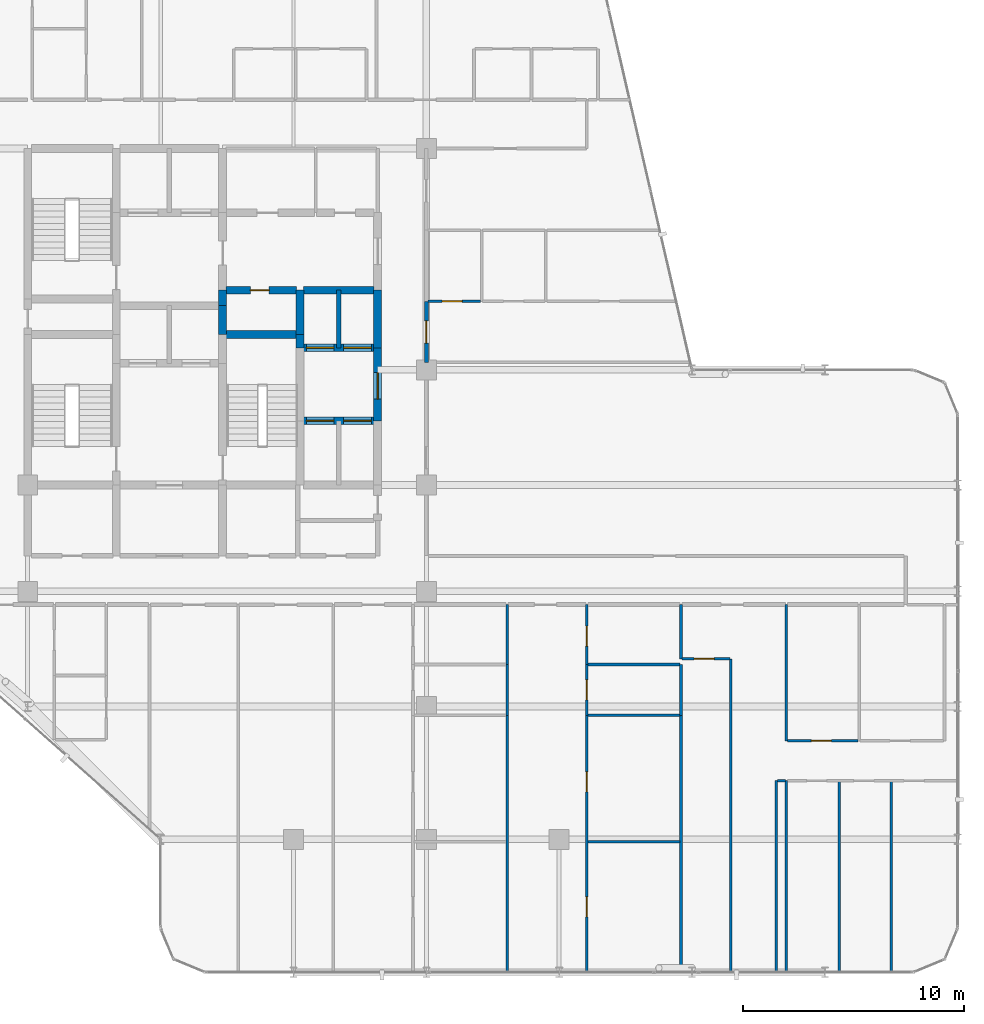
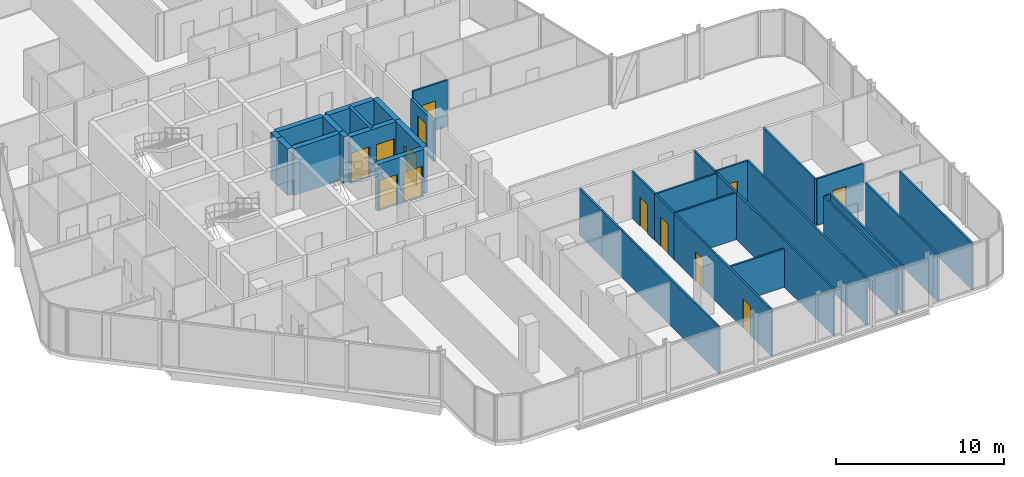
# One storey, part 25 of 29: 35 walls, 14 doors, 14 openings.
"""IFC4 building model written with IfcOpenShell, lengths in metres."""

import ifcopenshell
import ifcopenshell.guid

model = None  # the IFC model being written
_history = None  # IfcOwnerHistory: only IFC2X3 demands one
_inside = {}  # id of a spatial element -> (the spatial element, [elements in it])
_under = {}  # id of a project, library or spatial element -> (it, [spatial elements below it])
_declared = {}  # id of a project -> (the project, [libraries it declares])
_typed = {}  # id of a type object -> (the type object, [elements of that type])
_made_of = {}  # id of a material, layer set ... -> (it, [elements and type objects made of it])


def new_model(schema):
    """Start an empty IFC model of exactly this schema.

    Asked for "IFC4X3", IfcOpenShell would pick the latest addendum, in which some entities
    have other attributes; the version numbers below select the first issue.
    IFC2X3 requires an IfcOwnerHistory on every rooted entity: one is made here for all.
    """
    global model, _history
    if schema == "IFC4X3":
        model = ifcopenshell.file(schema_version=(4, 3, 0, 0))
    else:
        model = ifcopenshell.file(schema=schema)
    _inside.clear()
    _under.clear()
    _declared.clear()
    _typed.clear()
    _made_of.clear()
    _history = None
    if model.schema == "IFC2X3":
        org = make("IfcOrganization", Name="unknown")
        user = make(
            "IfcPersonAndOrganization",
            ThePerson=make("IfcPerson", FamilyName="unknown"),
            TheOrganization=org,
        )
        app = make(
            "IfcApplication",
            ApplicationDeveloper=org,
            Version="unknown",
            ApplicationFullName="unknown",
            ApplicationIdentifier="unknown",
        )
        _history = make(
            "IfcOwnerHistory",
            OwningUser=user,
            OwningApplication=app,
            ChangeAction="ADDED",
            CreationDate=0,
        )
    return model


def make(cls, **values):
    """One entity of the class cls with the attributes given. An attribute that is None is left unset."""
    return model.create_entity(
        cls, **{name: value for name, value in values.items() if value is not None}
    )


def rooted(cls, **values):
    """An entity with a GlobalId (a new one), such as an element, a storey or a relation."""
    return make(cls, GlobalId=ifcopenshell.guid.new(), OwnerHistory=_history, **values)


def si_unit(unit_type, name, prefix=None):
    """IfcSIUnit, for example si_unit("LENGTHUNIT", "METRE", prefix="MILLI")."""
    return make("IfcSIUnit", UnitType=unit_type, Prefix=prefix, Name=name)


def assignment(units):
    """IfcUnitAssignment: the units of a project."""
    return None if units is None else make("IfcUnitAssignment", Units=units)


def point(xyz):
    """IfcCartesianPoint."""
    return None if xyz is None else make("IfcCartesianPoint", Coordinates=xyz)


def direction(xyz):
    """IfcDirection."""
    return None if xyz is None else make("IfcDirection", DirectionRatios=xyz)


def frame(location, z_axis=None, x_axis=None):
    """IfcAxis2Placement3D, a coordinate frame: its origin and axes. An axis left out is left unset."""
    return make(
        "IfcAxis2Placement3D",
        Location=point(location),
        Axis=direction(z_axis),
        RefDirection=direction(x_axis),
    )


def frame_2d(location, x_axis=None):
    """IfcAxis2Placement2D, a coordinate frame in the plane: its origin and x axis."""
    return make(
        "IfcAxis2Placement2D", Location=point(location), RefDirection=direction(x_axis)
    )


def origin():
    """The frame at (0, 0, 0) with its axes left unset."""
    return frame((0.0, 0.0, 0.0))


def place(relative_to, where):
    """IfcLocalPlacement: puts the frame where relative to a parent placement (None: the world)."""
    return make(
        "IfcLocalPlacement", PlacementRelTo=relative_to, RelativePlacement=where
    )


def context(
    kind, dimensions, precision=None, world=None, true_north=None, identifier=None
):
    """IfcGeometricRepresentationContext, for example the 3D "Model" context."""
    return make(
        "IfcGeometricRepresentationContext",
        ContextIdentifier=identifier,
        ContextType=kind,
        CoordinateSpaceDimension=dimensions,
        Precision=precision,
        WorldCoordinateSystem=world,
        TrueNorth=true_north,
    )


def subcontext(parent, identifier, kind, view, scale=None):
    """IfcGeometricRepresentationSubContext, for example "Body" below "Model"."""
    return make(
        "IfcGeometricRepresentationSubContext",
        ContextIdentifier=identifier,
        ContextType=kind,
        ParentContext=parent,
        TargetScale=scale,
        TargetView=view,
    )


def project(units=None, contexts=None):
    """IfcProject with its units and contexts."""
    return rooted(
        "IfcProject",
        Name="project",
        RepresentationContexts=contexts,
        UnitsInContext=assignment(units),
    )


def spatial(cls, under=None, at=None, **own):
    """A site, building, storey or space (cls), placed at a placement, below another one or the project."""
    s = rooted(cls, ObjectPlacement=at, **own)
    if under is not None:
        _under.setdefault(under.id(), (under, []))[1].append(s)
    return s


def profile(cls, at=None, kind="AREA", **sizes):
    """A parametric profile (cls). Its sizes go by their IFC names, for example OverallWidth=200.0."""
    return make(cls, ProfileType=kind, Position=at, **sizes)


def rectangle(**sizes):
    """IfcRectangleProfileDef."""
    return profile("IfcRectangleProfileDef", **sizes)


def extrude(swept, where, along, depth):
    """IfcExtrudedAreaSolid: the profile swept, set in the frame where, extruded along a direction by depth."""
    return make(
        "IfcExtrudedAreaSolid",
        SweptArea=swept,
        Position=where,
        ExtrudedDirection=direction(along),
        Depth=depth,
    )


def shape(context_of_items, identifier, shape_type, items):
    """IfcShapeRepresentation: the items that make up one representation, for example the "Body"."""
    return make(
        "IfcShapeRepresentation",
        ContextOfItems=context_of_items,
        RepresentationIdentifier=identifier,
        RepresentationType=shape_type,
        Items=items,
    )


def material(Name=None, Category=None):
    """IfcMaterial."""
    return make("IfcMaterial", Name=Name, Category=Category)


def layer(
    of_material, thickness, ventilated=None, Name=None, Category=None, Priority=None
):
    """IfcMaterialLayer: one layer of a wall or slab, of a material (None: an air gap)."""
    return make(
        "IfcMaterialLayer",
        Material=of_material,
        LayerThickness=thickness,
        IsVentilated=ventilated,
        Name=Name,
        Category=Category,
        Priority=Priority,
    )


def layer_set(layers, Name=None):
    """IfcMaterialLayerSet."""
    return make("IfcMaterialLayerSet", MaterialLayers=layers, LayerSetName=Name)


def made_of(thing, what):
    """Note that an element or type object is made of a material, layer set ...; save() writes the relation."""
    if what is not None:
        _made_of.setdefault(what.id(), (what, []))[1].append(thing)
    return thing


def type_object(cls, material=None, **own):
    """A type object (cls), such as IfcWallType, which elements share."""
    return made_of(rooted(cls, **own), material)


def element(
    cls,
    number,
    at=None,
    inside=None,
    cuts=None,
    type_object=None,
    material=None,
    context=None,
    identifier="Body",
    shape_type=None,
    held_by="IfcProductDefinitionShape",
    body=None,
    shapes=None,
    **own,
):
    """One element of the class cls, such as IfcWall. Its Tag is "e" and its number.

    at: its placement. inside: the storey or other place that contains it. cuts: it is an
    opening in that element (IfcRelVoidsElement). A single representation is given by context,
    identifier, shape_type and body (its items); several are given by shapes. held_by: the class
    of the entity that holds the representations. save() writes the other relations.
    """
    e = rooted(cls, Tag="e%d" % number, ObjectPlacement=at, **own)
    if body is not None:
        shapes = [shape(context, identifier, shape_type, body)]
    if shapes is not None:
        e.Representation = make(held_by, Representations=shapes)
    if inside is not None:
        _inside.setdefault(inside.id(), (inside, []))[1].append(e)
    if cuts is not None:
        rooted(
            "IfcRelVoidsElement", RelatingBuildingElement=cuts, RelatedOpeningElement=e
        )
    if type_object is not None:
        _typed.setdefault(type_object.id(), (type_object, []))[1].append(e)
    return made_of(e, material)


def fill(opening, filler):
    """IfcRelFillsElement: the door or window that sits in an opening."""
    return rooted(
        "IfcRelFillsElement",
        RelatingOpeningElement=opening,
        RelatedBuildingElement=filler,
    )


def aggregate(whole, parts):
    """IfcRelAggregates: a whole, such as a stair, and the parts it consists of."""
    return rooted("IfcRelAggregates", RelatingObject=whole, RelatedObjects=parts)


def save(model, path):
    """Write the relations noted so far, then the file.

    IfcRelAggregates (storeys below a building ...), IfcRelContainedInSpatialStructure (elements
    in a storey), IfcRelDefinesByType, IfcRelAssociatesMaterial and IfcRelDeclares: one each for
    every whole, place, type object, material and project.
    """
    for whole, parts in _under.values():
        aggregate(whole, parts)
    for where, things in _inside.values():
        rooted(
            "IfcRelContainedInSpatialStructure",
            RelatedElements=things,
            RelatingStructure=where,
        )
    for kind, things in _typed.values():
        rooted("IfcRelDefinesByType", RelatedObjects=things, RelatingType=kind)
    for what, things in _made_of.values():
        rooted("IfcRelAssociatesMaterial", RelatedObjects=things, RelatingMaterial=what)
    for by, libraries in _declared.values():
        rooted("IfcRelDeclares", RelatingContext=by, RelatedDefinitions=libraries)
    model.write(path)


model = new_model("IFC4")

# Units and contexts
model_context = context("Model", 3, precision=1e-05, world=origin(), true_north=direction((0.0, 1.0)))
body_context = subcontext(model_context, "Body", "Model", "MODEL_VIEW")
ifc_project = project(units=[si_unit("LENGTHUNIT", "METRE"), si_unit("AREAUNIT", "SQUARE_METRE"), si_unit("VOLUMEUNIT", "CUBIC_METRE"), si_unit("PLANEANGLEUNIT", "RADIAN"), si_unit("MASSUNIT", "GRAM", prefix="KILO")], contexts=[model_context])

# Site, building, storey
site_placement = place(None, origin())
site = spatial("IfcSite", under=ifc_project, at=site_placement, CompositionType="ELEMENT")
building_placement = place(site_placement, origin())
building = spatial("IfcBuilding", under=site, at=building_placement, Name="Keshet Zoharim Tower", CompositionType="ELEMENT")
storey_placement = place(building_placement, frame((0.0, 0.0, 195.800048828125)))
storey = spatial("IfcBuildingStorey", under=building, at=storey_placement, Name="L48", CompositionType="ELEMENT", Elevation=195.800048828125)

# Walls
ifc_material_1 = material(Name="Concrete C60/75", Category="concrete")
ifc_layer_1 = layer(ifc_material_1, 0.35009765625)
ifc_layer_set_1 = layer_set([ifc_layer_1], Name="Concrete C60/75")
wall_type_1 = type_object("IfcWallType", Name="WL-CORE-350", PredefinedType="SHEAR", material=ifc_layer_set_1)
wall_1_placement = place(storey_placement, frame((23.800048828125, 29.5, 0.0), z_axis=(0.0, 0.0, 1.0), x_axis=(0.0, 1.0, 0.0)))
element("IfcWall", 1, at=wall_1_placement, inside=storey, type_object=wall_type_1, Name="L48 Core Shear Wall 040", PredefinedType="SHEAR", context=body_context, shape_type="SweptSolid", body=[
    extrude(rectangle(XDim=1.300048828125, YDim=0.35009765625, at=frame_2d((0.64990234375, 0.0))), origin(), (0.0, 0.0, 1.0), 3.389892578125),
])
wall_2_placement = place(storey_placement, frame((23.800048828125, 30.800048828125, 0.0), z_axis=(0.0, 0.0, 1.0), x_axis=(0.0, 1.0, 0.0)))
element("IfcWall", 2, at=wall_2_placement, inside=storey, type_object=wall_type_1, Name="L48 Core Shear Wall 041", PredefinedType="SHEAR", context=body_context, shape_type="SweptSolid", body=[
    extrude(rectangle(XDim=0.699951171875, YDim=0.35009765625, at=frame_2d((0.35009765625, 0.0))), origin(), (0.0, 0.0, 1.0), 3.389892578125),
])
wall_3_placement = place(storey_placement, frame((27.300048828125, 28.89990234375, 0.0), z_axis=(0.0, 0.0, 1.0), x_axis=(0.0, 1.0, 0.0)))
element("IfcWall", 3, at=wall_3_placement, inside=storey, type_object=wall_type_1, Name="L48 Core Shear Wall 053", PredefinedType="SHEAR", context=body_context, shape_type="SweptSolid", body=[
    extrude(rectangle(XDim=0.60009765625, YDim=0.35009765625, at=frame_2d((0.300048828125, 0.0))), origin(), (0.0, 0.0, 1.0), 3.389892578125),
])
wall_4_placement = place(storey_placement, frame((27.300048828125, 29.5, 0.0), z_axis=(0.0, 0.0, 1.0), x_axis=(0.0, 1.0, 0.0)))
element("IfcWall", 4, at=wall_4_placement, inside=storey, type_object=wall_type_1, Name="L48 Core Shear Wall 054", PredefinedType="SHEAR", context=body_context, shape_type="SweptSolid", body=[
    extrude(rectangle(XDim=2.0, YDim=0.35009765625, at=frame_2d((1.0, 0.0))), origin(), (0.0, 0.0, 1.0), 3.389892578125),
])

# Wall, opening, door
wall_5_placement = place(storey_placement, frame((30.800048828125, 25.60009765625, 0.0), z_axis=(0.0, 0.0, 1.0), x_axis=(0.0, 1.0, 0.0)))
wall_5 = element("IfcWall", 5, at=wall_5_placement, inside=storey, type_object=wall_type_1, Name="L48 Core Shear Wall 066", PredefinedType="SHEAR", context=body_context, shape_type="SweptSolid", body=[
    extrude(rectangle(XDim=3.2998046875, YDim=0.35009765625, at=frame_2d((1.64990234375, 0.0))), origin(), (0.0, 0.0, 1.0), 3.389892578125),
])
opening_1_placement = place(wall_5_placement, frame((0.97802734375, 0.0, 0.0)))
opening_1 = element("IfcOpeningElement", 6, at=opening_1_placement, cuts=wall_5, Name="Opening D-F612", PredefinedType="OPENING", context=body_context, shape_type="SweptSolid", body=[
    extrude(rectangle(XDim=1.199951171875, YDim=2.199951171875, at=frame_2d((0.60009765625, 1.10009765625))), frame((0.0, 0.18505859375, 0.0), z_axis=(0.0, -1.0, 0.0), x_axis=(1.0, 0.0, 0.0)), (0.0, 0.0, 1.0), 0.3701171875),
])
ifc_material_2 = material(Name="Hardwood Timber", Category="wood")
door_type_1 = type_object("IfcDoorType", Name="DR-FD60-120", OperationType="NOTDEFINED", PredefinedType="DOOR", material=ifc_material_2)
door_1_placement = place(opening_1_placement, origin())
door_1 = element("IfcDoor", 7, at=door_1_placement, inside=storey, type_object=door_type_1, Name="L48 East Lift Lobby Fire Door", OperationType="SINGLE_SWING_LEFT", OverallHeight=2.199951171875, OverallWidth=1.199951171875, PredefinedType="DOOR", context=body_context, shape_type="SweptSolid", body=[
    extrude(rectangle(XDim=1.199951171875, YDim=2.199951171875, at=frame_2d((0.60009765625, 1.10009765625))), frame((0.0, 0.02490234375, 0.0), z_axis=(0.0, -1.0, 0.0), x_axis=(1.0, 0.0, 0.0)), (0.0, 0.0, 1.0), 0.050048828125),
])
fill(opening_1, door_1)

# Wall
wall_6_placement = place(storey_placement, frame((30.800048828125, 28.89990234375, 0.0), z_axis=(0.0, 0.0, 1.0), x_axis=(0.0, 1.0, 0.0)))
element("IfcWall", 8, at=wall_6_placement, inside=storey, type_object=wall_type_1, Name="L48 Core Shear Wall 067", PredefinedType="SHEAR", context=body_context, shape_type="SweptSolid", body=[
    extrude(rectangle(XDim=2.60009765625, YDim=0.35009765625, at=frame_2d((1.300048828125, 0.0))), origin(), (0.0, 0.0, 1.0), 3.389892578125),
])

# Wall, openings, doors
wall_7_placement = place(storey_placement, frame((27.4599609375, 25.60009765625, 0.0), z_axis=(0.0, 0.0, 1.0), x_axis=(1.0, 0.0, 0.0)))
wall_7 = element("IfcWall", 9, at=wall_7_placement, inside=storey, type_object=wall_type_1, Name="L48 Core Shear Wall 147", PredefinedType="SHEAR", context=body_context, shape_type="SweptSolid", body=[
    extrude(rectangle(XDim=3.179931640625, YDim=0.35009765625, at=frame_2d((1.58984375, 0.0))), origin(), (0.0, 0.0, 1.0), 3.389892578125),
])
opening_2_placement = place(wall_7_placement, frame((0.1201171875, 0.0, 0.0)))
opening_2 = element("IfcOpeningElement", 10, at=opening_2_placement, cuts=wall_7, Name="Opening LD-01", PredefinedType="OPENING", context=body_context, shape_type="SweptSolid", body=[
    extrude(rectangle(XDim=1.25, YDim=2.199951171875, at=frame_2d((0.625, 1.10009765625))), frame((0.0, 0.18505859375, 0.0), z_axis=(0.0, -1.0, 0.0), x_axis=(1.0, 0.0, 0.0)), (0.0, 0.0, 1.0), 0.3701171875),
])
opening_3_placement = place(wall_7_placement, frame((1.81005859375, 0.0, 0.0)))
opening_3 = element("IfcOpeningElement", 11, at=opening_3_placement, cuts=wall_7, Name="Opening LD-01", PredefinedType="OPENING", context=body_context, shape_type="SweptSolid", body=[
    extrude(rectangle(XDim=1.25, YDim=2.199951171875, at=frame_2d((0.625, 1.10009765625))), frame((0.0, 0.18505859375, 0.0), z_axis=(0.0, -1.0, 0.0), x_axis=(1.0, 0.0, 0.0)), (0.0, 0.0, 1.0), 0.3701171875),
])
ifc_material_3 = material(Name="Steel S355", Category="steel")
door_type_2 = type_object("IfcDoorType", Name="DR-LD01-125", OperationType="DOUBLE_DOOR_SLIDING", PredefinedType="DOOR", material=ifc_material_3)
door_2_placement = place(opening_2_placement, origin())
door_2 = element("IfcDoor", 12, at=door_2_placement, inside=storey, type_object=door_type_2, Name="L48 Passenger Lift Landing Door LF-07", OperationType="DOUBLE_DOOR_SLIDING", OverallHeight=2.199951171875, OverallWidth=1.25, PredefinedType="DOOR", context=body_context, shape_type="SweptSolid", body=[
    extrude(rectangle(XDim=1.25, YDim=2.199951171875, at=frame_2d((0.625, 1.10009765625))), frame((0.0, 0.02490234375, 0.0), z_axis=(0.0, -1.0, 0.0), x_axis=(1.0, 0.0, 0.0)), (0.0, 0.0, 1.0), 0.050048828125),
])
fill(opening_2, door_2)
door_3_placement = place(opening_3_placement, origin())
door_3 = element("IfcDoor", 13, at=door_3_placement, inside=storey, type_object=door_type_2, Name="L48 Passenger Lift Landing Door LF-08", OperationType="DOUBLE_DOOR_SLIDING", OverallHeight=2.199951171875, OverallWidth=1.25, PredefinedType="DOOR", context=body_context, shape_type="SweptSolid", body=[
    extrude(rectangle(XDim=1.25, YDim=2.199951171875, at=frame_2d((0.625, 1.10009765625))), frame((0.0, 0.02490234375, 0.0), z_axis=(0.0, -1.0, 0.0), x_axis=(1.0, 0.0, 0.0)), (0.0, 0.0, 1.0), 0.050048828125),
])
fill(opening_3, door_3)

wall_8_placement = place(storey_placement, frame((27.4599609375, 28.89990234375, 0.0), z_axis=(0.0, 0.0, 1.0), x_axis=(1.0, 0.0, 0.0)))
wall_8 = element("IfcWall", 14, at=wall_8_placement, inside=storey, type_object=wall_type_1, Name="L48 Core Shear Wall 154", PredefinedType="SHEAR", context=body_context, shape_type="SweptSolid", body=[
    extrude(rectangle(XDim=3.179931640625, YDim=0.35009765625, at=frame_2d((1.58984375, 0.0))), origin(), (0.0, 0.0, 1.0), 3.389892578125),
])
opening_4_placement = place(wall_8_placement, frame((0.1201171875, 0.0, 0.0)))
opening_4 = element("IfcOpeningElement", 15, at=opening_4_placement, cuts=wall_8, Name="Opening LD-01", PredefinedType="OPENING", context=body_context, shape_type="SweptSolid", body=[
    extrude(rectangle(XDim=1.25, YDim=2.199951171875, at=frame_2d((0.625, 1.10009765625))), frame((0.0, 0.18505859375, 0.0), z_axis=(0.0, -1.0, 0.0), x_axis=(1.0, 0.0, 0.0)), (0.0, 0.0, 1.0), 0.3701171875),
])
opening_5_placement = place(wall_8_placement, frame((1.81005859375, 0.0, 0.0)))
opening_5 = element("IfcOpeningElement", 16, at=opening_5_placement, cuts=wall_8, Name="Opening LD-01", PredefinedType="OPENING", context=body_context, shape_type="SweptSolid", body=[
    extrude(rectangle(XDim=1.25, YDim=2.199951171875, at=frame_2d((0.625, 1.10009765625))), frame((0.0, 0.18505859375, 0.0), z_axis=(0.0, -1.0, 0.0), x_axis=(1.0, 0.0, 0.0)), (0.0, 0.0, 1.0), 0.3701171875),
])
door_4_placement = place(opening_4_placement, origin())
door_4 = element("IfcDoor", 17, at=door_4_placement, inside=storey, type_object=door_type_2, Name="L48 Passenger Lift Landing Door LF-05", OperationType="DOUBLE_DOOR_SLIDING", OverallHeight=2.199951171875, OverallWidth=1.25, PredefinedType="DOOR", context=body_context, shape_type="SweptSolid", body=[
    extrude(rectangle(XDim=1.25, YDim=2.199951171875, at=frame_2d((0.625, 1.10009765625))), frame((0.0, 0.02490234375, 0.0), z_axis=(0.0, -1.0, 0.0), x_axis=(1.0, 0.0, 0.0)), (0.0, 0.0, 1.0), 0.050048828125),
])
fill(opening_4, door_4)
door_5_placement = place(opening_5_placement, origin())
door_5 = element("IfcDoor", 18, at=door_5_placement, inside=storey, type_object=door_type_2, Name="L48 Passenger Lift Landing Door LF-06", OperationType="DOUBLE_DOOR_SLIDING", OverallHeight=2.199951171875, OverallWidth=1.25, PredefinedType="DOOR", context=body_context, shape_type="SweptSolid", body=[
    extrude(rectangle(XDim=1.25, YDim=2.199951171875, at=frame_2d((0.625, 1.10009765625))), frame((0.0, 0.02490234375, 0.0), z_axis=(0.0, -1.0, 0.0), x_axis=(1.0, 0.0, 0.0)), (0.0, 0.0, 1.0), 0.050048828125),
])
fill(opening_5, door_5)

# Wall
wall_9_placement = place(storey_placement, frame((23.9599609375, 29.5, 0.0), z_axis=(0.0, 0.0, 1.0), x_axis=(1.0, 0.0, 0.0)))
element("IfcWall", 19, at=wall_9_placement, inside=storey, type_object=wall_type_1, Name="L48 Core Shear Wall 156", PredefinedType="SHEAR", context=body_context, shape_type="SweptSolid", body=[
    extrude(rectangle(XDim=3.179931640625, YDim=0.35009765625, at=frame_2d((1.58984375, 0.0))), origin(), (0.0, 0.0, 1.0), 3.389892578125),
])

# Wall, opening, door
wall_10_placement = place(storey_placement, frame((23.9599609375, 31.5, 0.0), z_axis=(0.0, 0.0, 1.0), x_axis=(1.0, 0.0, 0.0)))
wall_10 = element("IfcWall", 20, at=wall_10_placement, inside=storey, type_object=wall_type_1, Name="L48 Core Shear Wall 164", PredefinedType="SHEAR", context=body_context, shape_type="SweptSolid", body=[
    extrude(rectangle(XDim=3.179931640625, YDim=0.35009765625, at=frame_2d((1.58984375, 0.0))), origin(), (0.0, 0.0, 1.0), 3.389892578125),
])
opening_6_placement = place(wall_10_placement, frame((1.093994140625, 0.0, 0.0)))
opening_6 = element("IfcOpeningElement", 21, at=opening_6_placement, cuts=wall_10, Name="Opening D-RS85", PredefinedType="OPENING", context=body_context, shape_type="SweptSolid", body=[
    extrude(rectangle(XDim=0.85009765625, YDim=2.10009765625, at=frame_2d((0.425048828125, 1.050048828125))), frame((0.0, 0.18505859375, 0.0), z_axis=(0.0, -1.0, 0.0), x_axis=(1.0, 0.0, 0.0)), (0.0, 0.0, 1.0), 0.3701171875),
])
door_type_3 = type_object("IfcDoorType", Name="DR-RIS-085", OperationType="NOTDEFINED", PredefinedType="DOOR", material=ifc_material_2)
door_6_placement = place(opening_6_placement, origin())
door_6 = element("IfcDoor", 22, at=door_6_placement, inside=storey, type_object=door_type_3, Name="L48 Telecom Riser Access Cupboard Door", OperationType="SINGLE_SWING_LEFT", OverallHeight=2.10009765625, OverallWidth=0.85009765625, PredefinedType="DOOR", context=body_context, shape_type="SweptSolid", body=[
    extrude(rectangle(XDim=0.85009765625, YDim=2.10009765625, at=frame_2d((0.425048828125, 1.050048828125))), frame((0.0, 0.02490234375, 0.0), z_axis=(0.0, -1.0, 0.0), x_axis=(1.0, 0.0, 0.0)), (0.0, 0.0, 1.0), 0.050048828125),
])
fill(opening_6, door_6)

# Wall
wall_11_placement = place(storey_placement, frame((27.4599609375, 31.5, 0.0), z_axis=(0.0, 0.0, 1.0), x_axis=(1.0, 0.0, 0.0)))
element("IfcWall", 23, at=wall_11_placement, inside=storey, type_object=wall_type_1, Name="L48 Core Shear Wall 165", PredefinedType="SHEAR", context=body_context, shape_type="SweptSolid", body=[
    extrude(rectangle(XDim=3.179931640625, YDim=0.35009765625, at=frame_2d((1.58984375, 0.0))), origin(), (0.0, 0.0, 1.0), 3.389892578125),
])

# Wall, opening, door
ifc_material_4 = material(Name="Gypsum Plasterboard", Category="gypsum")
ifc_layer_2 = layer(ifc_material_4, 0.179931640625)
ifc_layer_set_2 = layer_set([ifc_layer_2], Name="Gypsum Plasterboard")
wall_type_2 = type_object("IfcWallType", Name="WL-CORR-180", PredefinedType="STANDARD", material=ifc_layer_set_2)
wall_12_placement = place(storey_placement, frame((33.0, 28.239990234375, 0.0), z_axis=(0.0, 0.0, 1.0), x_axis=(0.0, 1.0, 0.0)))
wall_12 = element("IfcWall", 24, at=wall_12_placement, inside=storey, type_object=wall_type_2, Name="L48 Interior Wall 074", PredefinedType="STANDARD", context=body_context, shape_type="SweptSolid", body=[
    extrude(rectangle(XDim=2.75, YDim=0.179931640625, at=frame_2d((1.375, 0.0))), origin(), (0.0, 0.0, 1.0), 2.889892578125),
])
opening_7_placement = place(wall_12_placement, frame((0.875, 0.0, 0.0)))
opening_7 = element("IfcOpeningElement", 25, at=opening_7_placement, cuts=wall_12, Name="Opening D-F310", PredefinedType="OPENING", context=body_context, shape_type="SweptSolid", body=[
    extrude(rectangle(XDim=1.0, YDim=2.14990234375, at=frame_2d((0.5, 1.074951171875))), frame((0.0, 0.10009765625, 0.0), z_axis=(0.0, -1.0, 0.0), x_axis=(1.0, 0.0, 0.0)), (0.0, 0.0, 1.0), 0.199951171875),
])
door_type_4 = type_object("IfcDoorType", Name="DR-FD30-100", OperationType="NOTDEFINED", PredefinedType="DOOR", material=ifc_material_2)
door_7_placement = place(opening_7_placement, origin())
door_7 = element("IfcDoor", 26, at=door_7_placement, inside=storey, type_object=door_type_4, Name="Apartment 4811 Entrance Door", OperationType="SINGLE_SWING_RIGHT", OverallHeight=2.14990234375, OverallWidth=1.0, PredefinedType="DOOR", context=body_context, shape_type="SweptSolid", body=[
    extrude(rectangle(XDim=1.0, YDim=2.14990234375, at=frame_2d((0.5, 1.074951171875))), frame((0.0, 0.02490234375, 0.0), z_axis=(0.0, -1.0, 0.0), x_axis=(1.0, 0.0, 0.0)), (0.0, 0.0, 1.0), 0.050048828125),
])
fill(opening_7, door_7)

# Walls
ifc_material_5 = material(Name="Concrete C50/60", Category="concrete")
ifc_layer_3 = layer(ifc_material_5, 0.199951171875)
ifc_layer_set_3 = layer_set([ifc_layer_3], Name="Concrete C50/60")
wall_type_3 = type_object("IfcWallType", Name="WL-FIRE-200", PredefinedType="STANDARD", material=ifc_layer_set_3)
wall_13_placement = place(storey_placement, frame((29.050048828125, 28.89990234375, 0.0), z_axis=(0.0, 0.0, 1.0), x_axis=(0.0, 1.0, 0.0)))
element("IfcWall", 27, at=wall_13_placement, inside=storey, type_object=wall_type_3, Name="L48 Interior Wall 059", PredefinedType="STANDARD", context=body_context, shape_type="SweptSolid", body=[
    extrude(rectangle(XDim=2.60009765625, YDim=0.199951171875, at=frame_2d((1.300048828125, 0.0))), origin(), (0.0, 0.0, 1.0), 3.389892578125),
])
ifc_layer_4 = layer(ifc_material_4, 0.1201171875)
ifc_layer_set_4 = layer_set([ifc_layer_4], Name="Gypsum Plasterboard")
wall_type_4 = type_object("IfcWallType", Name="WL-PART-120", PredefinedType="PARTITIONING", material=ifc_layer_set_4)
wall_14_placement = place(storey_placement, frame((36.64990234375, 0.7099609375, 0.0), z_axis=(0.0, 0.0, 1.0), x_axis=(0.0, 1.0, 0.0)))
element("IfcWall", 28, at=wall_14_placement, inside=storey, type_object=wall_type_4, Name="L48 Interior Wall 081", PredefinedType="PARTITIONING", context=body_context, shape_type="SweptSolid", body=[
    extrude(rectangle(XDim=11.590087890625, YDim=0.1201171875, at=frame_2d((5.794921875, 0.0))), origin(), (0.0, 0.0, 1.0), 3.389892578125),
])
wall_15_placement = place(storey_placement, frame((36.64990234375, 12.300048828125, 0.0), z_axis=(0.0, 0.0, 1.0), x_axis=(0.0, 1.0, 0.0)))
element("IfcWall", 29, at=wall_15_placement, inside=storey, type_object=wall_type_4, Name="L48 Interior Wall 082", PredefinedType="PARTITIONING", context=body_context, shape_type="SweptSolid", body=[
    extrude(rectangle(XDim=2.300048828125, YDim=0.1201171875, at=frame_2d((1.14990234375, 0.0))), origin(), (0.0, 0.0, 1.0), 3.389892578125),
])

# Wall, openings, doors
wall_16_placement = place(storey_placement, frame((40.25, 0.7099609375, 0.0), z_axis=(0.0, 0.0, 1.0), x_axis=(0.0, 1.0, 0.0)))
wall_16 = element("IfcWall", 30, at=wall_16_placement, inside=storey, type_object=wall_type_4, Name="L48 Interior Wall 087", PredefinedType="PARTITIONING", context=body_context, shape_type="SweptSolid", body=[
    extrude(rectangle(XDim=11.590087890625, YDim=0.1201171875, at=frame_2d((5.794921875, 0.0))), origin(), (0.0, 0.0, 1.0), 3.389892578125),
])
opening_8_placement = place(wall_16_placement, frame((2.489990234375, 0.0, 0.0)))
opening_8 = element("IfcOpeningElement", 31, at=opening_8_placement, cuts=wall_16, Name="Opening D-IN90", PredefinedType="OPENING", context=body_context, shape_type="SweptSolid", body=[
    extrude(rectangle(XDim=0.89990234375, YDim=2.14990234375, at=frame_2d((0.449951171875, 1.074951171875))), frame((0.0, 0.070068359375, 0.0), z_axis=(0.0, -1.0, 0.0), x_axis=(1.0, 0.0, 0.0)), (0.0, 0.0, 1.0), 0.14013671875),
])
opening_9_placement = place(wall_16_placement, frame((8.133056640625, 0.0, 0.0)))
opening_9 = element("IfcOpeningElement", 32, at=opening_9_placement, cuts=wall_16, Name="Opening D-IN90", PredefinedType="OPENING", context=body_context, shape_type="SweptSolid", body=[
    extrude(rectangle(XDim=0.89990234375, YDim=2.14990234375, at=frame_2d((0.449951171875, 1.074951171875))), frame((0.0, 0.070068359375, 0.0), z_axis=(0.0, -1.0, 0.0), x_axis=(1.0, 0.0, 0.0)), (0.0, 0.0, 1.0), 0.14013671875),
])
door_type_5 = type_object("IfcDoorType", Name="DR-INT-090", OperationType="NOTDEFINED", PredefinedType="DOOR", material=ifc_material_2)
door_8_placement = place(opening_8_placement, origin())
door_8 = element("IfcDoor", 33, at=door_8_placement, inside=storey, type_object=door_type_5, Name="Apartment 4803 Bedroom 1 Door", OperationType="SINGLE_SWING_RIGHT", OverallHeight=2.14990234375, OverallWidth=0.89990234375, PredefinedType="DOOR", context=body_context, shape_type="SweptSolid", body=[
    extrude(rectangle(XDim=0.89990234375, YDim=2.14990234375, at=frame_2d((0.449951171875, 1.074951171875))), frame((0.0, 0.02490234375, 0.0), z_axis=(0.0, -1.0, 0.0), x_axis=(1.0, 0.0, 0.0)), (0.0, 0.0, 1.0), 0.050048828125),
])
fill(opening_8, door_8)
door_9_placement = place(opening_9_placement, origin())
door_9 = element("IfcDoor", 34, at=door_9_placement, inside=storey, type_object=door_type_5, Name="Apartment 4803 Bedroom 2 Door", OperationType="SINGLE_SWING_LEFT", OverallHeight=2.14990234375, OverallWidth=0.89990234375, PredefinedType="DOOR", context=body_context, shape_type="SweptSolid", body=[
    extrude(rectangle(XDim=0.89990234375, YDim=2.14990234375, at=frame_2d((0.449951171875, 1.074951171875))), frame((0.0, 0.02490234375, 0.0), z_axis=(0.0, -1.0, 0.0), x_axis=(1.0, 0.0, 0.0)), (0.0, 0.0, 1.0), 0.050048828125),
])
fill(opening_9, door_9)

# Wall, opening, door
wall_17_placement = place(storey_placement, frame((40.25, 12.300048828125, 0.0), z_axis=(0.0, 0.0, 1.0), x_axis=(0.0, 1.0, 0.0)))
wall_17 = element("IfcWall", 35, at=wall_17_placement, inside=storey, type_object=wall_type_4, Name="L48 Interior Wall 088", PredefinedType="PARTITIONING", context=body_context, shape_type="SweptSolid", body=[
    extrude(rectangle(XDim=2.300048828125, YDim=0.1201171875, at=frame_2d((1.14990234375, 0.0))), origin(), (0.0, 0.0, 1.0), 3.389892578125),
])
opening_10_placement = place(wall_17_placement, frame((0.699951171875, 0.0, 0.0)))
opening_10 = element("IfcOpeningElement", 36, at=opening_10_placement, cuts=wall_17, Name="Opening D-IN90", PredefinedType="OPENING", context=body_context, shape_type="SweptSolid", body=[
    extrude(rectangle(XDim=0.89990234375, YDim=2.14990234375, at=frame_2d((0.449951171875, 1.074951171875))), frame((0.0, 0.070068359375, 0.0), z_axis=(0.0, -1.0, 0.0), x_axis=(1.0, 0.0, 0.0)), (0.0, 0.0, 1.0), 0.14013671875),
])
door_10_placement = place(opening_10_placement, origin())
door_10 = element("IfcDoor", 37, at=door_10_placement, inside=storey, type_object=door_type_5, Name="Apartment 4803 Kitchen Door", OperationType="SINGLE_SWING_RIGHT", OverallHeight=2.14990234375, OverallWidth=0.89990234375, PredefinedType="DOOR", context=body_context, shape_type="SweptSolid", body=[
    extrude(rectangle(XDim=0.89990234375, YDim=2.14990234375, at=frame_2d((0.449951171875, 1.074951171875))), frame((0.0, 0.02490234375, 0.0), z_axis=(0.0, -1.0, 0.0), x_axis=(1.0, 0.0, 0.0)), (0.0, 0.0, 1.0), 0.050048828125),
])
fill(opening_10, door_10)

# Walls
wall_18_placement = place(storey_placement, frame((44.5, 0.7099609375, 0.0), z_axis=(0.0, 0.0, 1.0), x_axis=(0.0, 1.0, 0.0)))
element("IfcWall", 38, at=wall_18_placement, inside=storey, type_object=wall_type_4, Name="L48 Interior Wall 092", PredefinedType="PARTITIONING", context=body_context, shape_type="SweptSolid", body=[
    extrude(rectangle(XDim=11.590087890625, YDim=0.1201171875, at=frame_2d((5.794921875, 0.0))), origin(), (0.0, 0.0, 1.0), 3.389892578125),
])
wall_19_placement = place(storey_placement, frame((44.5, 12.300048828125, 0.0), z_axis=(0.0, 0.0, 1.0), x_axis=(0.0, 1.0, 0.0)))
element("IfcWall", 39, at=wall_19_placement, inside=storey, type_object=wall_type_4, Name="L48 Interior Wall 093", PredefinedType="PARTITIONING", context=body_context, shape_type="SweptSolid", body=[
    extrude(rectangle(XDim=2.300048828125, YDim=0.1201171875, at=frame_2d((1.14990234375, 0.0))), origin(), (0.0, 0.0, 1.0), 3.389892578125),
])
wall_20_placement = place(storey_placement, frame((46.75, 0.7099609375, 0.0), z_axis=(0.0, 0.0, 1.0), x_axis=(0.0, 1.0, 0.0)))
element("IfcWall", 40, at=wall_20_placement, inside=storey, type_object=wall_type_4, Name="L48 Interior Wall 095", PredefinedType="PARTITIONING", context=body_context, shape_type="SweptSolid", body=[
    extrude(rectangle(XDim=14.14013671875, YDim=0.1201171875, at=frame_2d((7.070068359375, 0.0))), origin(), (0.0, 0.0, 1.0), 3.389892578125),
])
for number, where, z_axis, x_axis, name in (
    (41, (48.800048828125, 0.7099609375, 0.0), (0.0, 0.0, 1.0), (0.0, 1.0, 0.0), "L48 Interior Wall 096"),
    (42, (49.25, 0.7099609375, 0.0), (0.0, 0.0, 1.0), (0.0, 1.0, 0.0), "L48 Interior Wall 097"),
):
    element("IfcWall", number, at=place(storey_placement, frame(where, z_axis=z_axis, x_axis=x_axis)), inside=storey, type_object=wall_type_4, Name=name, PredefinedType="PARTITIONING", context=body_context, shape_type="SweptSolid", body=[
        extrude(rectangle(XDim=8.64013671875, YDim=0.1201171875, at=frame_2d((4.320068359375, 0.0))), origin(), (0.0, 0.0, 1.0), 3.389892578125),
    ])
wall_21_placement = place(storey_placement, frame((49.25, 11.14990234375, 0.0), z_axis=(0.0, 0.0, 1.0), x_axis=(0.0, 1.0, 0.0)))
element("IfcWall", 43, at=wall_21_placement, inside=storey, type_object=wall_type_4, Name="L48 Interior Wall 098", PredefinedType="PARTITIONING", context=body_context, shape_type="SweptSolid", body=[
    extrude(rectangle(XDim=6.150146484375, YDim=0.1201171875, at=frame_2d((3.0751953125, 0.0))), origin(), (0.0, 0.0, 1.0), 3.389892578125),
])
for number, where, z_axis, x_axis, name in (
    (44, (51.64990234375, 0.7099609375, 0.0), (0.0, 0.0, 1.0), (0.0, 1.0, 0.0), "L48 Interior Wall 099"),
    (45, (54.0, 0.7099609375, 0.0), (0.0, 0.0, 1.0), (0.0, 1.0, 0.0), "L48 Interior Wall 101"),
):
    element("IfcWall", number, at=place(storey_placement, frame(where, z_axis=z_axis, x_axis=x_axis)), inside=storey, type_object=wall_type_4, Name=name, PredefinedType="PARTITIONING", context=body_context, shape_type="SweptSolid", body=[
        extrude(rectangle(XDim=8.64013671875, YDim=0.1201171875, at=frame_2d((4.320068359375, 0.0))), origin(), (0.0, 0.0, 1.0), 3.389892578125),
    ])
wall_22_placement = place(storey_placement, frame((40.294921875, 6.60009765625, 0.0), z_axis=(0.0, 0.0, 1.0), x_axis=(1.0, 0.0, 0.0)))
element("IfcWall", 46, at=wall_22_placement, inside=storey, type_object=wall_type_4, Name="L48 Interior Wall 105", PredefinedType="PARTITIONING", context=body_context, shape_type="SweptSolid", body=[
    extrude(rectangle(XDim=4.16015625, YDim=0.1201171875, at=frame_2d((2.080078125, 0.0))), origin(), (0.0, 0.0, 1.0), 2.7900390625),
])
wall_23_placement = place(storey_placement, frame((48.864990234375, 9.35009765625, 0.0), z_axis=(0.0, 0.0, 1.0), x_axis=(1.0, 0.0, 0.0)))
element("IfcWall", 47, at=wall_23_placement, inside=storey, type_object=wall_type_4, Name="L48 Interior Wall 106", PredefinedType="PARTITIONING", context=body_context, shape_type="SweptSolid", body=[
    extrude(rectangle(XDim=0.360107421875, YDim=0.1201171875, at=frame_2d((0.18017578125, 0.0))), origin(), (0.0, 0.0, 1.0), 3.389892578125),
])

# Wall, opening, door
wall_24_placement = place(storey_placement, frame((49.31494140625, 11.14990234375, 0.0), z_axis=(0.0, 0.0, 1.0), x_axis=(1.0, 0.0, 0.0)))
wall_24 = element("IfcWall", 48, at=wall_24_placement, inside=storey, type_object=wall_type_4, Name="L48 Interior Wall 108", PredefinedType="PARTITIONING", context=body_context, shape_type="SweptSolid", body=[
    extrude(rectangle(XDim=3.18505859375, YDim=0.1201171875, at=frame_2d((1.592529296875, 0.0))), origin(), (0.0, 0.0, 1.0), 3.389892578125),
])
opening_11_placement = place(wall_24_placement, frame((1.071044921875, 0.0, 0.0)))
opening_11 = element("IfcOpeningElement", 49, at=opening_11_placement, cuts=wall_24, Name="Opening D-IN90", PredefinedType="OPENING", context=body_context, shape_type="SweptSolid", body=[
    extrude(rectangle(XDim=0.89990234375, YDim=2.14990234375, at=frame_2d((0.449951171875, 1.074951171875))), frame((0.0, 0.070068359375, 0.0), z_axis=(0.0, -1.0, 0.0), x_axis=(1.0, 0.0, 0.0)), (0.0, 0.0, 1.0), 0.14013671875),
])
door_11_placement = place(opening_11_placement, origin())
door_11 = element("IfcDoor", 50, at=door_11_placement, inside=storey, type_object=door_type_5, Name="Apartment 4804 Kitchen Door", OperationType="SINGLE_SWING_LEFT", OverallHeight=2.14990234375, OverallWidth=0.89990234375, PredefinedType="DOOR", context=body_context, shape_type="SweptSolid", body=[
    extrude(rectangle(XDim=0.89990234375, YDim=2.14990234375, at=frame_2d((0.449951171875, 1.074951171875))), frame((0.0, 0.02490234375, 0.0), z_axis=(0.0, -1.0, 0.0), x_axis=(1.0, 0.0, 0.0)), (0.0, 0.0, 1.0), 0.050048828125),
])
fill(opening_11, door_11)

# Wall
wall_25_placement = place(storey_placement, frame((40.294921875, 12.300048828125, 0.0), z_axis=(0.0, 0.0, 1.0), x_axis=(1.0, 0.0, 0.0)))
element("IfcWall", 51, at=wall_25_placement, inside=storey, type_object=wall_type_4, Name="L48 Interior Wall 112", PredefinedType="PARTITIONING", context=body_context, shape_type="SweptSolid", body=[
    extrude(rectangle(XDim=4.16015625, YDim=0.1201171875, at=frame_2d((2.080078125, 0.0))), origin(), (0.0, 0.0, 1.0), 3.389892578125),
])

# Wall, opening, door
wall_26_placement = place(storey_placement, frame((44.544921875, 14.85009765625, 0.0), z_axis=(0.0, 0.0, 1.0), x_axis=(1.0, 0.0, 0.0)))
wall_26 = element("IfcWall", 52, at=wall_26_placement, inside=storey, type_object=wall_type_4, Name="L48 Interior Wall 116", PredefinedType="PARTITIONING", context=body_context, shape_type="SweptSolid", body=[
    extrude(rectangle(XDim=2.16015625, YDim=0.1201171875, at=frame_2d((1.080078125, 0.0))), origin(), (0.0, 0.0, 1.0), 3.389892578125),
])
opening_12_placement = place(wall_26_placement, frame((0.552978515625, 0.0, 0.0)))
opening_12 = element("IfcOpeningElement", 53, at=opening_12_placement, cuts=wall_26, Name="Opening D-IN90", PredefinedType="OPENING", context=body_context, shape_type="SweptSolid", body=[
    extrude(rectangle(XDim=0.89990234375, YDim=2.14990234375, at=frame_2d((0.449951171875, 1.074951171875))), frame((0.0, 0.070068359375, 0.0), z_axis=(0.0, -1.0, 0.0), x_axis=(1.0, 0.0, 0.0)), (0.0, 0.0, 1.0), 0.14013671875),
])
door_12_placement = place(opening_12_placement, origin())
door_12 = element("IfcDoor", 54, at=door_12_placement, inside=storey, type_object=door_type_5, Name="Apartment 4804 Formal Dining Room Door", OperationType="SINGLE_SWING_LEFT", OverallHeight=2.14990234375, OverallWidth=0.89990234375, PredefinedType="DOOR", context=body_context, shape_type="SweptSolid", body=[
    extrude(rectangle(XDim=0.89990234375, YDim=2.14990234375, at=frame_2d((0.449951171875, 1.074951171875))), frame((0.0, 0.02490234375, 0.0), z_axis=(0.0, -1.0, 0.0), x_axis=(1.0, 0.0, 0.0)), (0.0, 0.0, 1.0), 0.050048828125),
])
fill(opening_12, door_12)

wall_27_placement = place(storey_placement, frame((33.074951171875, 31.0, 0.0), z_axis=(0.0, 0.0, 1.0), x_axis=(1.0, 0.0, 0.0)))
wall_27 = element("IfcWall", 55, at=wall_27_placement, inside=storey, type_object=wall_type_4, Name="L48 Interior Wall 160", PredefinedType="PARTITIONING", context=body_context, shape_type="SweptSolid", body=[
    extrude(rectangle(XDim=2.364013671875, YDim=0.1201171875, at=frame_2d((1.18212890625, 0.0))), origin(), (0.0, 0.0, 1.0), 3.389892578125),
])
opening_13_placement = place(wall_27_placement, frame((0.64111328125, 0.0, 0.0)))
opening_13 = element("IfcOpeningElement", 56, at=opening_13_placement, cuts=wall_27, Name="Opening D-IN90", PredefinedType="OPENING", context=body_context, shape_type="SweptSolid", body=[
    extrude(rectangle(XDim=0.89990234375, YDim=2.14990234375, at=frame_2d((0.449951171875, 1.074951171875))), frame((0.0, 0.070068359375, 0.0), z_axis=(0.0, -1.0, 0.0), x_axis=(1.0, 0.0, 0.0)), (0.0, 0.0, 1.0), 0.14013671875),
])
door_13_placement = place(opening_13_placement, origin())
door_13 = element("IfcDoor", 57, at=door_13_placement, inside=storey, type_object=door_type_5, Name="Apartment 4811 Kitchen Door", OperationType="SINGLE_SWING_RIGHT", OverallHeight=2.14990234375, OverallWidth=0.89990234375, PredefinedType="DOOR", context=body_context, shape_type="SweptSolid", body=[
    extrude(rectangle(XDim=0.89990234375, YDim=2.14990234375, at=frame_2d((0.449951171875, 1.074951171875))), frame((0.0, 0.02490234375, 0.0), z_axis=(0.0, -1.0, 0.0), x_axis=(1.0, 0.0, 0.0)), (0.0, 0.0, 1.0), 0.050048828125),
])
fill(opening_13, door_13)

# Wall
ifc_layer_5 = layer(ifc_material_4, 0.1201171875)
ifc_layer_set_5 = layer_set([ifc_layer_5], Name="Gypsum Plasterboard")
wall_type_5 = type_object("IfcWallType", Name="WL-WET-120", PredefinedType="PARTITIONING", material=ifc_layer_set_5)
wall_28_placement = place(storey_placement, frame((36.64990234375, 14.60009765625, 0.0), z_axis=(0.0, 0.0, 1.0), x_axis=(0.0, 1.0, 0.0)))
element("IfcWall", 58, at=wall_28_placement, inside=storey, type_object=wall_type_5, Name="L48 Interior Wall 083", PredefinedType="PARTITIONING", context=body_context, shape_type="SweptSolid", body=[
    extrude(rectangle(XDim=2.699951171875, YDim=0.1201171875, at=frame_2d((1.35009765625, 0.0))), origin(), (0.0, 0.0, 1.0), 3.389892578125),
])

# Wall, opening, door
wall_29_placement = place(storey_placement, frame((40.25, 14.60009765625, 0.0), z_axis=(0.0, 0.0, 1.0), x_axis=(0.0, 1.0, 0.0)))
wall_29 = element("IfcWall", 59, at=wall_29_placement, inside=storey, type_object=wall_type_5, Name="L48 Interior Wall 089", PredefinedType="PARTITIONING", context=body_context, shape_type="SweptSolid", body=[
    extrude(rectangle(XDim=2.699951171875, YDim=0.1201171875, at=frame_2d((1.35009765625, 0.0))), origin(), (0.0, 0.0, 1.0), 3.389892578125),
])
opening_14_placement = place(wall_29_placement, frame((0.827880859375, 0.0, 0.0)))
opening_14 = element("IfcOpeningElement", 60, at=opening_14_placement, cuts=wall_29, Name="Opening D-WT90", PredefinedType="OPENING", context=body_context, shape_type="SweptSolid", body=[
    extrude(rectangle(XDim=0.89990234375, YDim=2.10009765625, at=frame_2d((0.449951171875, 1.050048828125))), frame((0.0, 0.070068359375, 0.0), z_axis=(0.0, -1.0, 0.0), x_axis=(1.0, 0.0, 0.0)), (0.0, 0.0, 1.0), 0.14013671875),
])
door_type_6 = type_object("IfcDoorType", Name="DR-WET-090", OperationType="NOTDEFINED", PredefinedType="DOOR", material=ifc_material_2)
door_14_placement = place(opening_14_placement, origin())
door_14 = element("IfcDoor", 61, at=door_14_placement, inside=storey, type_object=door_type_6, Name="Apartment 4803 Bathroom Door", OperationType="SINGLE_SWING_LEFT", OverallHeight=2.10009765625, OverallWidth=0.89990234375, PredefinedType="DOOR", context=body_context, shape_type="SweptSolid", body=[
    extrude(rectangle(XDim=0.89990234375, YDim=2.10009765625, at=frame_2d((0.449951171875, 1.050048828125))), frame((0.0, 0.02490234375, 0.0), z_axis=(0.0, -1.0, 0.0), x_axis=(1.0, 0.0, 0.0)), (0.0, 0.0, 1.0), 0.050048828125),
])
fill(opening_14, door_14)

# Walls
wall_30_placement = place(storey_placement, frame((44.5, 14.85009765625, 0.0), z_axis=(0.0, 0.0, 1.0), x_axis=(0.0, 1.0, 0.0)))
element("IfcWall", 62, at=wall_30_placement, inside=storey, type_object=wall_type_5, Name="L48 Interior Wall 094", PredefinedType="PARTITIONING", context=body_context, shape_type="SweptSolid", body=[
    extrude(rectangle(XDim=2.449951171875, YDim=0.1201171875, at=frame_2d((1.22509765625, 0.0))), origin(), (0.0, 0.0, 1.0), 3.389892578125),
])
wall_31_placement = place(storey_placement, frame((40.294921875, 14.60009765625, 0.0), z_axis=(0.0, 0.0, 1.0), x_axis=(1.0, 0.0, 0.0)))
element("IfcWall", 63, at=wall_31_placement, inside=storey, type_object=wall_type_5, Name="L48 Interior Wall 115", PredefinedType="PARTITIONING", context=body_context, shape_type="SweptSolid", body=[
    extrude(rectangle(XDim=4.16015625, YDim=0.1201171875, at=frame_2d((2.080078125, 0.0))), origin(), (0.0, 0.0, 1.0), 3.389892578125),
])

save(model, "model.ifc")
